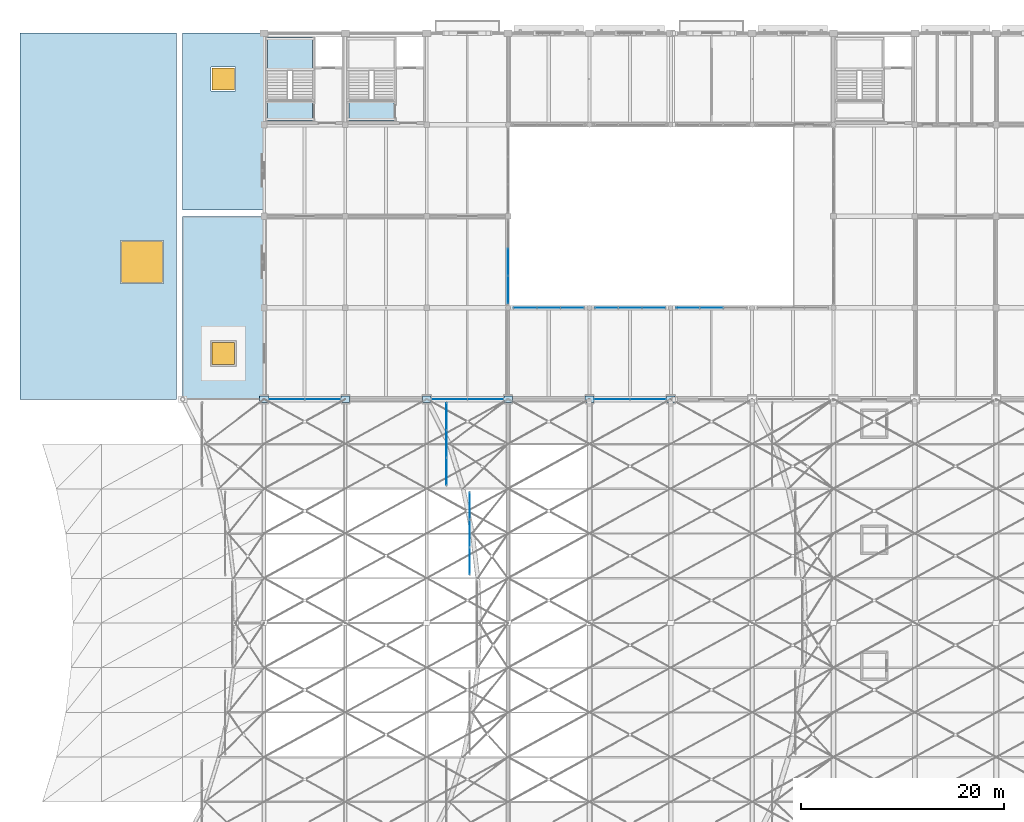
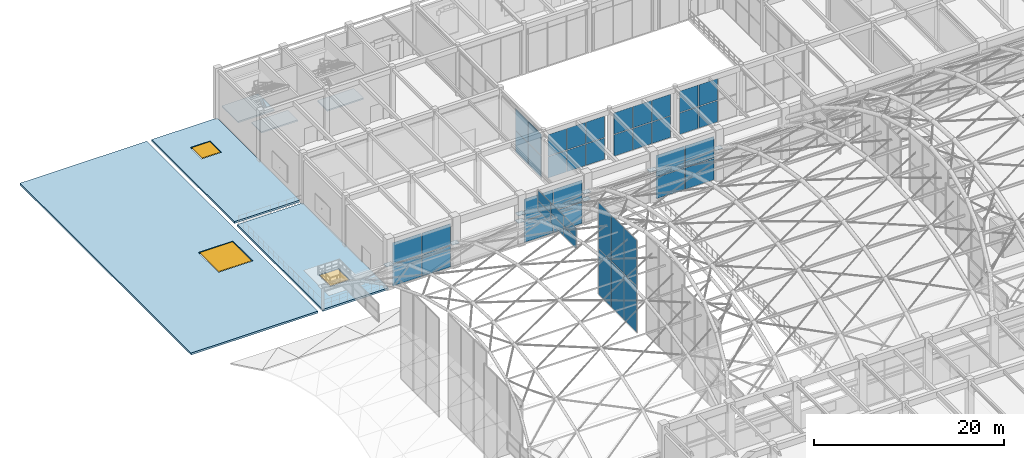
# One storey, part 115 of 163: 52 plates, 6 slabs, 3 windows, 3 openings, 11 elements without a shape of their own.
"""IFC4 building model written with IfcOpenShell, lengths in metres."""

from ifc_helpers import new_model, si_unit, direction, frame, origin, origin_2d, place, context, subcontext, project, spatial, polyline, rectangle, outline, extrude, material, layer, layer_set, type_object, element, fill, aggregate, save


model = new_model("IFC4")

# Units and contexts
model_context = context("Model", 3, precision=1e-05, world=origin(), true_north=direction((0.0, 1.0)))
body_context = subcontext(model_context, "Body", "Model", "MODEL_VIEW")
ifc_project = project(units=[si_unit("LENGTHUNIT", "METRE"), si_unit("AREAUNIT", "SQUARE_METRE"), si_unit("VOLUMEUNIT", "CUBIC_METRE"), si_unit("PLANEANGLEUNIT", "RADIAN"), si_unit("MASSUNIT", "GRAM", prefix="KILO")], contexts=[model_context])

# Site, building, storey
site_placement = place(None, origin())
site = spatial("IfcSite", under=ifc_project, at=site_placement, CompositionType="ELEMENT")
building_placement = place(site_placement, origin())
building = spatial("IfcBuilding", under=site, at=building_placement, Name="Varnabhumi Central Station", CompositionType="ELEMENT")
storey_placement = place(building_placement, frame((0.0, 0.0, 9.60009765625)))
storey = spatial("IfcBuildingStorey", under=building, at=storey_placement, Name="L02", CompositionType="ELEMENT", Elevation=9.60009765625)

# Curtain wall, plates
ifc_material_1 = material(Name="Anodised aluminium 6063-T6", Category="aluminium")
curtain_wall_type_1 = type_object("IfcCurtainWallType", Name="CW-PATIO-LOGGIA-L2", PredefinedType="NOTDEFINED", material=ifc_material_1)
curtain_wall_1_placement = place(storey_placement, origin())
curtain_wall_1 = element("IfcCurtainWall", 1, at=curtain_wall_1_placement, inside=storey, type_object=curtain_wall_type_1, Name="Curtain Wall CW-NP2E1", PredefinedType="NOTDEFINED")
ifc_material_2 = material(Name="Laminated low-E double glazing", Category="glass")
ifc_layer_1 = layer(ifc_material_2, 0.035888671875, Name="Laminated low-E double glazing", Category="glass")
ifc_layer_set_1 = layer_set([ifc_layer_1], Name="Laminated low-E double glazing")
plate_type_1 = type_object("IfcPlateType", Name="CW-PNL-GLZ-2", PredefinedType="CURTAIN_PANEL", material=ifc_layer_set_1)
plate_1_placement = place(storey_placement, frame((48.0, 90.780029296875, 0.0400390625), z_axis=(0.0, 0.0, 1.0), x_axis=(0.0, 1.0, 0.0)))
plate_1 = element("IfcPlate", 2, at=plate_1_placement, type_object=plate_type_1, Name="Glazed Panel CW-NP2E1-P11", PredefinedType="CURTAIN_PANEL", context=body_context, shape_type="SweptSolid", body=[
    extrude(rectangle(XDim=2.639892578125, YDim=0.035888671875, at=origin_2d()), origin(), (0.0, 0.0, 1.0), 2.739990234375),
])
plate_2_placement = place(storey_placement, frame((48.0, 90.780029296875, 2.85986328125), z_axis=(0.0, 0.0, 1.0), x_axis=(0.0, 1.0, 0.0)))
plate_2 = element("IfcPlate", 3, at=plate_2_placement, type_object=plate_type_1, Name="Glazed Panel CW-NP2E1-P12", PredefinedType="CURTAIN_PANEL", context=body_context, shape_type="SweptSolid", body=[
    extrude(rectangle(XDim=2.639892578125, YDim=0.035888671875, at=origin_2d()), origin(), (0.0, 0.0, 1.0), 2.739990234375),
])
plate_3_placement = place(storey_placement, frame((48.0, 93.5, 0.0400390625), z_axis=(0.0, 0.0, 1.0), x_axis=(0.0, 1.0, 0.0)))
plate_3 = element("IfcPlate", 4, at=plate_3_placement, type_object=plate_type_1, Name="Glazed Panel CW-NP2E1-P21", PredefinedType="CURTAIN_PANEL", context=body_context, shape_type="SweptSolid", body=[
    extrude(rectangle(XDim=2.639892578125, YDim=0.035888671875, at=origin_2d()), origin(), (0.0, 0.0, 1.0), 2.739990234375),
])
plate_4_placement = place(storey_placement, frame((48.0, 93.5, 2.85986328125), z_axis=(0.0, 0.0, 1.0), x_axis=(0.0, 1.0, 0.0)))
plate_4 = element("IfcPlate", 5, at=plate_4_placement, type_object=plate_type_1, Name="Glazed Panel CW-NP2E1-P22", PredefinedType="CURTAIN_PANEL", context=body_context, shape_type="SweptSolid", body=[
    extrude(rectangle(XDim=2.639892578125, YDim=0.035888671875, at=origin_2d()), origin(), (0.0, 0.0, 1.0), 2.739990234375),
])
aggregate(curtain_wall_1, [plate_1, plate_2, plate_3, plate_4])

curtain_wall_2_placement = place(storey_placement, origin())
curtain_wall_2 = element("IfcCurtainWall", 6, at=curtain_wall_2_placement, inside=storey, type_object=curtain_wall_type_1, Name="Curtain Wall CW-NP2S1", PredefinedType="NOTDEFINED")
ifc_layer_2 = layer(ifc_material_2, 0.035888671875, Name="Laminated low-E double glazing", Category="glass")
ifc_layer_set_2 = layer_set([ifc_layer_2], Name="Laminated low-E double glazing")
plate_type_2 = type_object("IfcPlateType", Name="CW-PNL-GLZ-3", PredefinedType="CURTAIN_PANEL", material=ifc_layer_set_2)
plate_5_placement = place(storey_placement, frame((49.679931640625, 89.0, 0.0400390625), z_axis=(0.0, 0.0, 1.0), x_axis=(1.0, 0.0, 0.0)))
plate_5 = element("IfcPlate", 7, at=plate_5_placement, type_object=plate_type_2, Name="Glazed Panel CW-NP2S1-P11", PredefinedType="CURTAIN_PANEL", context=body_context, shape_type="SweptSolid", body=[
    extrude(rectangle(XDim=2.239990234375, YDim=0.035888671875, at=origin_2d()), origin(), (0.0, 0.0, 1.0), 2.739990234375),
])
plate_6_placement = place(storey_placement, frame((49.679931640625, 89.0, 2.85986328125), z_axis=(0.0, 0.0, 1.0), x_axis=(1.0, 0.0, 0.0)))
plate_6 = element("IfcPlate", 8, at=plate_6_placement, type_object=plate_type_2, Name="Glazed Panel CW-NP2S1-P12", PredefinedType="CURTAIN_PANEL", context=body_context, shape_type="SweptSolid", body=[
    extrude(rectangle(XDim=2.239990234375, YDim=0.035888671875, at=origin_2d()), origin(), (0.0, 0.0, 1.0), 2.739990234375),
])
plate_7_placement = place(storey_placement, frame((52.0, 89.0, 0.0400390625), z_axis=(0.0, 0.0, 1.0), x_axis=(1.0, 0.0, 0.0)))
plate_7 = element("IfcPlate", 9, at=plate_7_placement, type_object=plate_type_2, Name="Glazed Panel CW-NP2S1-P21", PredefinedType="CURTAIN_PANEL", context=body_context, shape_type="SweptSolid", body=[
    extrude(rectangle(XDim=2.239990234375, YDim=0.035888671875, at=origin_2d()), origin(), (0.0, 0.0, 1.0), 2.739990234375),
])
plate_8_placement = place(storey_placement, frame((52.0, 89.0, 2.85986328125), z_axis=(0.0, 0.0, 1.0), x_axis=(1.0, 0.0, 0.0)))
plate_8 = element("IfcPlate", 10, at=plate_8_placement, type_object=plate_type_2, Name="Glazed Panel CW-NP2S1-P22", PredefinedType="CURTAIN_PANEL", context=body_context, shape_type="SweptSolid", body=[
    extrude(rectangle(XDim=2.239990234375, YDim=0.035888671875, at=origin_2d()), origin(), (0.0, 0.0, 1.0), 2.739990234375),
])
plate_9_placement = place(storey_placement, frame((54.320068359375, 89.0, 0.0400390625), z_axis=(0.0, 0.0, 1.0), x_axis=(1.0, 0.0, 0.0)))
plate_9 = element("IfcPlate", 11, at=plate_9_placement, type_object=plate_type_2, Name="Glazed Panel CW-NP2S1-P31", PredefinedType="CURTAIN_PANEL", context=body_context, shape_type="SweptSolid", body=[
    extrude(rectangle(XDim=2.239990234375, YDim=0.035888671875, at=origin_2d()), origin(), (0.0, 0.0, 1.0), 2.739990234375),
])
plate_10_placement = place(storey_placement, frame((54.320068359375, 89.0, 2.85986328125), z_axis=(0.0, 0.0, 1.0), x_axis=(1.0, 0.0, 0.0)))
plate_10 = element("IfcPlate", 12, at=plate_10_placement, type_object=plate_type_2, Name="Glazed Panel CW-NP2S1-P32", PredefinedType="CURTAIN_PANEL", context=body_context, shape_type="SweptSolid", body=[
    extrude(rectangle(XDim=2.239990234375, YDim=0.035888671875, at=origin_2d()), origin(), (0.0, 0.0, 1.0), 2.739990234375),
])
aggregate(curtain_wall_2, [plate_5, plate_6, plate_7, plate_8, plate_9, plate_10])

curtain_wall_3_placement = place(storey_placement, origin())
curtain_wall_3 = element("IfcCurtainWall", 13, at=curtain_wall_3_placement, inside=storey, type_object=curtain_wall_type_1, Name="Curtain Wall CW-NP2S2", PredefinedType="NOTDEFINED")
ifc_layer_3 = layer(ifc_material_2, 0.035888671875, Name="Laminated low-E double glazing", Category="glass")
ifc_layer_set_3 = layer_set([ifc_layer_3], Name="Laminated low-E double glazing")
plate_type_3 = type_object("IfcPlateType", Name="CW-PNL-GLZ-4", PredefinedType="CURTAIN_PANEL", material=ifc_layer_set_3)
plate_11_placement = place(storey_placement, frame((57.679931640625, 89.0, 0.0400390625), z_axis=(0.0, 0.0, 1.0), x_axis=(1.0, 0.0, 0.0)))
plate_11 = element("IfcPlate", 14, at=plate_11_placement, type_object=plate_type_3, Name="Glazed Panel CW-NP2S2-P11", PredefinedType="CURTAIN_PANEL", context=body_context, shape_type="SweptSolid", body=[
    extrude(rectangle(XDim=2.239990234375, YDim=0.035888671875, at=origin_2d()), origin(), (0.0, 0.0, 1.0), 2.739990234375),
])
plate_12_placement = place(storey_placement, frame((57.679931640625, 89.0, 2.85986328125), z_axis=(0.0, 0.0, 1.0), x_axis=(1.0, 0.0, 0.0)))
plate_12 = element("IfcPlate", 15, at=plate_12_placement, type_object=plate_type_3, Name="Glazed Panel CW-NP2S2-P12", PredefinedType="CURTAIN_PANEL", context=body_context, shape_type="SweptSolid", body=[
    extrude(rectangle(XDim=2.239990234375, YDim=0.035888671875, at=origin_2d()), origin(), (0.0, 0.0, 1.0), 2.739990234375),
])
plate_13_placement = place(storey_placement, frame((60.0, 89.0, 0.0400390625), z_axis=(0.0, 0.0, 1.0), x_axis=(1.0, 0.0, 0.0)))
plate_13 = element("IfcPlate", 16, at=plate_13_placement, type_object=plate_type_3, Name="Glazed Panel CW-NP2S2-P21", PredefinedType="CURTAIN_PANEL", context=body_context, shape_type="SweptSolid", body=[
    extrude(rectangle(XDim=2.239990234375, YDim=0.035888671875, at=origin_2d()), origin(), (0.0, 0.0, 1.0), 2.739990234375),
])
plate_14_placement = place(storey_placement, frame((60.0, 89.0, 2.85986328125), z_axis=(0.0, 0.0, 1.0), x_axis=(1.0, 0.0, 0.0)))
plate_14 = element("IfcPlate", 17, at=plate_14_placement, type_object=plate_type_3, Name="Glazed Panel CW-NP2S2-P22", PredefinedType="CURTAIN_PANEL", context=body_context, shape_type="SweptSolid", body=[
    extrude(rectangle(XDim=2.239990234375, YDim=0.035888671875, at=origin_2d()), origin(), (0.0, 0.0, 1.0), 2.739990234375),
])
plate_15_placement = place(storey_placement, frame((62.320068359375, 89.0, 0.0400390625), z_axis=(0.0, 0.0, 1.0), x_axis=(1.0, 0.0, 0.0)))
plate_15 = element("IfcPlate", 18, at=plate_15_placement, type_object=plate_type_3, Name="Glazed Panel CW-NP2S2-P31", PredefinedType="CURTAIN_PANEL", context=body_context, shape_type="SweptSolid", body=[
    extrude(rectangle(XDim=2.239990234375, YDim=0.035888671875, at=origin_2d()), origin(), (0.0, 0.0, 1.0), 2.739990234375),
])
plate_16_placement = place(storey_placement, frame((62.320068359375, 89.0, 2.85986328125), z_axis=(0.0, 0.0, 1.0), x_axis=(1.0, 0.0, 0.0)))
plate_16 = element("IfcPlate", 19, at=plate_16_placement, type_object=plate_type_3, Name="Glazed Panel CW-NP2S2-P32", PredefinedType="CURTAIN_PANEL", context=body_context, shape_type="SweptSolid", body=[
    extrude(rectangle(XDim=2.239990234375, YDim=0.035888671875, at=origin_2d()), origin(), (0.0, 0.0, 1.0), 2.739990234375),
])
aggregate(curtain_wall_3, [plate_11, plate_12, plate_13, plate_14, plate_15, plate_16])

curtain_wall_type_2 = type_object("IfcCurtainWallType", Name="CW-SPINE-SCREEN-L2", PredefinedType="NOTDEFINED", material=ifc_material_1)
curtain_wall_4_placement = place(storey_placement, origin())
curtain_wall_4 = element("IfcCurtainWall", 20, at=curtain_wall_4_placement, inside=storey, type_object=curtain_wall_type_2, Name="Curtain Wall CW-NS200", PredefinedType="NOTDEFINED")
ifc_layer_4 = layer(ifc_material_2, 0.035888671875, Name="Laminated low-E double glazing", Category="glass")
ifc_layer_set_4 = layer_set([ifc_layer_4], Name="Laminated low-E double glazing")
plate_type_4 = type_object("IfcPlateType", Name="CW-PNL-GLZ-5", PredefinedType="CURTAIN_PANEL", material=ifc_layer_set_4)
plate_17_placement = place(storey_placement, frame((26.22509765625, 80.0, 0.0400390625), z_axis=(0.0, 0.0, 1.0), x_axis=(1.0, 0.0, 0.0)))
plate_17 = element("IfcPlate", 21, at=plate_17_placement, type_object=plate_type_4, Name="Glazed Panel CW-NS200-P11", PredefinedType="CURTAIN_PANEL", context=body_context, shape_type="SweptSolid", body=[
    extrude(rectangle(XDim=3.469970703125, YDim=0.035888671875, at=origin_2d()), origin(), (0.0, 0.0, 1.0), 2.739990234375),
])
plate_18_placement = place(storey_placement, frame((26.22509765625, 80.0, 2.85986328125), z_axis=(0.0, 0.0, 1.0), x_axis=(1.0, 0.0, 0.0)))
plate_18 = element("IfcPlate", 22, at=plate_18_placement, type_object=plate_type_4, Name="Glazed Panel CW-NS200-P12", PredefinedType="CURTAIN_PANEL", context=body_context, shape_type="SweptSolid", body=[
    extrude(rectangle(XDim=3.469970703125, YDim=0.035888671875, at=origin_2d()), origin(), (0.0, 0.0, 1.0), 2.739990234375),
])
plate_19_placement = place(storey_placement, frame((29.77490234375, 80.0, 0.0400390625), z_axis=(0.0, 0.0, 1.0), x_axis=(1.0, 0.0, 0.0)))
plate_19 = element("IfcPlate", 23, at=plate_19_placement, type_object=plate_type_4, Name="Glazed Panel CW-NS200-P21", PredefinedType="CURTAIN_PANEL", context=body_context, shape_type="SweptSolid", body=[
    extrude(rectangle(XDim=3.469970703125, YDim=0.035888671875, at=origin_2d()), origin(), (0.0, 0.0, 1.0), 2.739990234375),
])
plate_20_placement = place(storey_placement, frame((29.77490234375, 80.0, 2.85986328125), z_axis=(0.0, 0.0, 1.0), x_axis=(1.0, 0.0, 0.0)))
plate_20 = element("IfcPlate", 24, at=plate_20_placement, type_object=plate_type_4, Name="Glazed Panel CW-NS200-P22", PredefinedType="CURTAIN_PANEL", context=body_context, shape_type="SweptSolid", body=[
    extrude(rectangle(XDim=3.469970703125, YDim=0.035888671875, at=origin_2d()), origin(), (0.0, 0.0, 1.0), 2.739990234375),
])
aggregate(curtain_wall_4, [plate_17, plate_18, plate_19, plate_20])

curtain_wall_5_placement = place(storey_placement, origin())
curtain_wall_5 = element("IfcCurtainWall", 25, at=curtain_wall_5_placement, inside=storey, type_object=curtain_wall_type_2, Name="Curtain Wall CW-NS202", PredefinedType="NOTDEFINED")
plate_21_placement = place(storey_placement, frame((42.22509765625, 80.0, 0.0400390625), z_axis=(0.0, 0.0, 1.0), x_axis=(1.0, 0.0, 0.0)))
plate_21 = element("IfcPlate", 26, at=plate_21_placement, type_object=plate_type_4, Name="Glazed Panel CW-NS202-P11", PredefinedType="CURTAIN_PANEL", context=body_context, shape_type="SweptSolid", body=[
    extrude(rectangle(XDim=3.469970703125, YDim=0.035888671875, at=origin_2d()), origin(), (0.0, 0.0, 1.0), 2.739990234375),
])
plate_22_placement = place(storey_placement, frame((42.22509765625, 80.0, 2.85986328125), z_axis=(0.0, 0.0, 1.0), x_axis=(1.0, 0.0, 0.0)))
plate_22 = element("IfcPlate", 27, at=plate_22_placement, type_object=plate_type_4, Name="Glazed Panel CW-NS202-P12", PredefinedType="CURTAIN_PANEL", context=body_context, shape_type="SweptSolid", body=[
    extrude(rectangle(XDim=3.469970703125, YDim=0.035888671875, at=origin_2d()), origin(), (0.0, 0.0, 1.0), 2.739990234375),
])
plate_23_placement = place(storey_placement, frame((45.77490234375, 80.0, 0.0400390625), z_axis=(0.0, 0.0, 1.0), x_axis=(1.0, 0.0, 0.0)))
plate_23 = element("IfcPlate", 28, at=plate_23_placement, type_object=plate_type_4, Name="Glazed Panel CW-NS202-P21", PredefinedType="CURTAIN_PANEL", context=body_context, shape_type="SweptSolid", body=[
    extrude(rectangle(XDim=3.469970703125, YDim=0.035888671875, at=origin_2d()), origin(), (0.0, 0.0, 1.0), 2.739990234375),
])
plate_24_placement = place(storey_placement, frame((45.77490234375, 80.0, 2.85986328125), z_axis=(0.0, 0.0, 1.0), x_axis=(1.0, 0.0, 0.0)))
plate_24 = element("IfcPlate", 29, at=plate_24_placement, type_object=plate_type_4, Name="Glazed Panel CW-NS202-P22", PredefinedType="CURTAIN_PANEL", context=body_context, shape_type="SweptSolid", body=[
    extrude(rectangle(XDim=3.469970703125, YDim=0.035888671875, at=origin_2d()), origin(), (0.0, 0.0, 1.0), 2.739990234375),
])
aggregate(curtain_wall_5, [plate_21, plate_22, plate_23, plate_24])

curtain_wall_6_placement = place(storey_placement, origin())
curtain_wall_6 = element("IfcCurtainWall", 30, at=curtain_wall_6_placement, inside=storey, type_object=curtain_wall_type_2, Name="Curtain Wall CW-NS204", PredefinedType="NOTDEFINED")
plate_25_placement = place(storey_placement, frame((58.22509765625, 80.0, 0.0400390625), z_axis=(0.0, 0.0, 1.0), x_axis=(1.0, 0.0, 0.0)))
plate_25 = element("IfcPlate", 31, at=plate_25_placement, type_object=plate_type_4, Name="Glazed Panel CW-NS204-P11", PredefinedType="CURTAIN_PANEL", context=body_context, shape_type="SweptSolid", body=[
    extrude(rectangle(XDim=3.469970703125, YDim=0.035888671875, at=origin_2d()), origin(), (0.0, 0.0, 1.0), 2.739990234375),
])
plate_26_placement = place(storey_placement, frame((58.22509765625, 80.0, 2.85986328125), z_axis=(0.0, 0.0, 1.0), x_axis=(1.0, 0.0, 0.0)))
plate_26 = element("IfcPlate", 32, at=plate_26_placement, type_object=plate_type_4, Name="Glazed Panel CW-NS204-P12", PredefinedType="CURTAIN_PANEL", context=body_context, shape_type="SweptSolid", body=[
    extrude(rectangle(XDim=3.469970703125, YDim=0.035888671875, at=origin_2d()), origin(), (0.0, 0.0, 1.0), 2.739990234375),
])
plate_27_placement = place(storey_placement, frame((61.77490234375, 80.0, 0.0400390625), z_axis=(0.0, 0.0, 1.0), x_axis=(1.0, 0.0, 0.0)))
plate_27 = element("IfcPlate", 33, at=plate_27_placement, type_object=plate_type_4, Name="Glazed Panel CW-NS204-P21", PredefinedType="CURTAIN_PANEL", context=body_context, shape_type="SweptSolid", body=[
    extrude(rectangle(XDim=3.469970703125, YDim=0.035888671875, at=origin_2d()), origin(), (0.0, 0.0, 1.0), 2.739990234375),
])
plate_28_placement = place(storey_placement, frame((61.77490234375, 80.0, 2.85986328125), z_axis=(0.0, 0.0, 1.0), x_axis=(1.0, 0.0, 0.0)))
plate_28 = element("IfcPlate", 34, at=plate_28_placement, type_object=plate_type_4, Name="Glazed Panel CW-NS204-P22", PredefinedType="CURTAIN_PANEL", context=body_context, shape_type="SweptSolid", body=[
    extrude(rectangle(XDim=3.469970703125, YDim=0.035888671875, at=origin_2d()), origin(), (0.0, 0.0, 1.0), 2.739990234375),
])
aggregate(curtain_wall_6, [plate_25, plate_26, plate_27, plate_28])

curtain_wall_7_placement = place(storey_placement, origin())
curtain_wall_7 = element("IfcCurtainWall", 35, at=curtain_wall_7_placement, inside=storey, type_object=curtain_wall_type_1, Name="Curtain Wall CW-NP2S3", PredefinedType="NOTDEFINED")
plate_29_placement = place(storey_placement, frame((65.679931640625, 89.0, 0.0400390625), z_axis=(0.0, 0.0, 1.0), x_axis=(1.0, 0.0, 0.0)))
plate_29 = element("IfcPlate", 36, at=plate_29_placement, type_object=plate_type_4, Name="Glazed Panel CW-NP2S3-P11", PredefinedType="CURTAIN_PANEL", context=body_context, shape_type="SweptSolid", body=[
    extrude(rectangle(XDim=2.239990234375, YDim=0.035888671875, at=origin_2d()), origin(), (0.0, 0.0, 1.0), 2.739990234375),
])
plate_30_placement = place(storey_placement, frame((65.679931640625, 89.0, 2.85986328125), z_axis=(0.0, 0.0, 1.0), x_axis=(1.0, 0.0, 0.0)))
plate_30 = element("IfcPlate", 37, at=plate_30_placement, type_object=plate_type_4, Name="Glazed Panel CW-NP2S3-P12", PredefinedType="CURTAIN_PANEL", context=body_context, shape_type="SweptSolid", body=[
    extrude(rectangle(XDim=2.239990234375, YDim=0.035888671875, at=origin_2d()), origin(), (0.0, 0.0, 1.0), 2.739990234375),
])
plate_31_placement = place(storey_placement, frame((68.0, 89.0, 0.0400390625), z_axis=(0.0, 0.0, 1.0), x_axis=(1.0, 0.0, 0.0)))
plate_31 = element("IfcPlate", 38, at=plate_31_placement, type_object=plate_type_4, Name="Glazed Panel CW-NP2S3-P21", PredefinedType="CURTAIN_PANEL", context=body_context, shape_type="SweptSolid", body=[
    extrude(rectangle(XDim=2.239990234375, YDim=0.035888671875, at=origin_2d()), origin(), (0.0, 0.0, 1.0), 2.739990234375),
])
plate_32_placement = place(storey_placement, frame((68.0, 89.0, 2.85986328125), z_axis=(0.0, 0.0, 1.0), x_axis=(1.0, 0.0, 0.0)))
plate_32 = element("IfcPlate", 39, at=plate_32_placement, type_object=plate_type_4, Name="Glazed Panel CW-NP2S3-P22", PredefinedType="CURTAIN_PANEL", context=body_context, shape_type="SweptSolid", body=[
    extrude(rectangle(XDim=2.239990234375, YDim=0.035888671875, at=origin_2d()), origin(), (0.0, 0.0, 1.0), 2.739990234375),
])
aggregate(curtain_wall_7, [plate_29, plate_30, plate_31, plate_32])

curtain_wall_type_3 = type_object("IfcCurtainWallType", Name="CW-VAULT-ARCH-V3", PredefinedType="NOTDEFINED", material=ifc_material_1)
curtain_wall_8_placement = place(storey_placement, origin())
curtain_wall_8 = element("IfcCurtainWall", 40, at=curtain_wall_8_placement, inside=storey, type_object=curtain_wall_type_3, Name="Curtain Wall CW-V34", PredefinedType="NOTDEFINED")
ifc_layer_5 = layer(ifc_material_2, 0.035888671875, Name="Laminated low-E double glazing", Category="glass")
ifc_layer_set_5 = layer_set([ifc_layer_5], Name="Laminated low-E double glazing")
plate_type_5 = type_object("IfcPlateType", Name="CW-PNL-GLZ-7", PredefinedType="CURTAIN_PANEL", material=ifc_layer_set_5)
plate_33_placement = place(storey_placement, frame((44.22412109375, 64.10009765625, -2.35986328125), z_axis=(0.0, 0.0, 1.0), x_axis=(0.0, 1.0, 0.0)))
plate_33 = element("IfcPlate", 41, at=plate_33_placement, type_object=plate_type_5, Name="Glazed Panel CW-V34-P11", PredefinedType="CURTAIN_PANEL", context=body_context, shape_type="SweptSolid", body=[
    extrude(rectangle(XDim=2.6201171875, YDim=0.035888671875, at=origin_2d()), origin(), (0.0, 0.0, 1.0), 5.856689453125),
])
plate_34_placement = place(storey_placement, frame((44.22412109375, 64.10009765625, 3.57666015625), z_axis=(0.0, 0.0, 1.0), x_axis=(0.0, 1.0, 0.0)))
plate_34 = element("IfcPlate", 42, at=plate_34_placement, type_object=plate_type_5, Name="Glazed Panel CW-V34-P12", PredefinedType="CURTAIN_PANEL", context=body_context, shape_type="SweptSolid", body=[
    extrude(rectangle(XDim=2.6201171875, YDim=0.035888671875, at=origin_2d()), origin(), (0.0, 0.0, 1.0), 5.856689453125),
])
plate_35_placement = place(storey_placement, frame((44.22412109375, 66.800048828125, -2.35986328125), z_axis=(0.0, 0.0, 1.0), x_axis=(0.0, 1.0, 0.0)))
plate_35 = element("IfcPlate", 43, at=plate_35_placement, type_object=plate_type_5, Name="Glazed Panel CW-V34-P21", PredefinedType="CURTAIN_PANEL", context=body_context, shape_type="SweptSolid", body=[
    extrude(rectangle(XDim=2.6201171875, YDim=0.035888671875, at=origin_2d()), origin(), (0.0, 0.0, 1.0), 5.856689453125),
])
plate_36_placement = place(storey_placement, frame((44.22412109375, 66.800048828125, 3.57666015625), z_axis=(0.0, 0.0, 1.0), x_axis=(0.0, 1.0, 0.0)))
plate_36 = element("IfcPlate", 44, at=plate_36_placement, type_object=plate_type_5, Name="Glazed Panel CW-V34-P22", PredefinedType="CURTAIN_PANEL", context=body_context, shape_type="SweptSolid", body=[
    extrude(rectangle(XDim=2.6201171875, YDim=0.035888671875, at=origin_2d()), origin(), (0.0, 0.0, 1.0), 5.856689453125),
])
plate_37_placement = place(storey_placement, frame((44.22412109375, 69.5, -2.35986328125), z_axis=(0.0, 0.0, 1.0), x_axis=(0.0, 1.0, 0.0)))
plate_37 = element("IfcPlate", 45, at=plate_37_placement, type_object=plate_type_5, Name="Glazed Panel CW-V34-P31", PredefinedType="CURTAIN_PANEL", context=body_context, shape_type="SweptSolid", body=[
    extrude(rectangle(XDim=2.6201171875, YDim=0.035888671875, at=origin_2d()), origin(), (0.0, 0.0, 1.0), 5.856689453125),
])
plate_38_placement = place(storey_placement, frame((44.22412109375, 69.5, 3.57666015625), z_axis=(0.0, 0.0, 1.0), x_axis=(0.0, 1.0, 0.0)))
plate_38 = element("IfcPlate", 46, at=plate_38_placement, type_object=plate_type_5, Name="Glazed Panel CW-V34-P32", PredefinedType="CURTAIN_PANEL", context=body_context, shape_type="SweptSolid", body=[
    extrude(rectangle(XDim=2.6201171875, YDim=0.035888671875, at=origin_2d()), origin(), (0.0, 0.0, 1.0), 5.856689453125),
])
aggregate(curtain_wall_8, [plate_33, plate_34, plate_35, plate_36, plate_37, plate_38])

curtain_wall_9_placement = place(storey_placement, origin())
curtain_wall_9 = element("IfcCurtainWall", 47, at=curtain_wall_9_placement, inside=storey, type_object=curtain_wall_type_3, Name="Curtain Wall CW-V35", PredefinedType="NOTDEFINED")
plate_39_placement = place(storey_placement, frame((41.946044921875, 72.89990234375, 3.89013671875), z_axis=(0.0, 0.0, 1.0), x_axis=(0.0, 1.0, 0.0)))
plate_39 = element("IfcPlate", 48, at=plate_39_placement, type_object=plate_type_5, Name="Glazed Panel CW-V35-P11", PredefinedType="CURTAIN_PANEL", context=body_context, shape_type="SweptSolid", body=[
    extrude(rectangle(XDim=2.6201171875, YDim=0.035888671875, at=origin_2d()), origin(), (0.0, 0.0, 1.0), 1.242431640625),
])
plate_40_placement = place(storey_placement, frame((41.946044921875, 72.89990234375, 5.21240234375), z_axis=(0.0, 0.0, 1.0), x_axis=(0.0, 1.0, 0.0)))
plate_40 = element("IfcPlate", 49, at=plate_40_placement, type_object=plate_type_5, Name="Glazed Panel CW-V35-P12", PredefinedType="CURTAIN_PANEL", context=body_context, shape_type="SweptSolid", body=[
    extrude(rectangle(XDim=2.6201171875, YDim=0.035888671875, at=origin_2d()), origin(), (0.0, 0.0, 1.0), 1.242431640625),
])
plate_41_placement = place(storey_placement, frame((41.946044921875, 75.60009765625, 3.89013671875), z_axis=(0.0, 0.0, 1.0), x_axis=(0.0, 1.0, 0.0)))
plate_41 = element("IfcPlate", 50, at=plate_41_placement, type_object=plate_type_5, Name="Glazed Panel CW-V35-P21", PredefinedType="CURTAIN_PANEL", context=body_context, shape_type="SweptSolid", body=[
    extrude(rectangle(XDim=2.6201171875, YDim=0.035888671875, at=origin_2d()), origin(), (0.0, 0.0, 1.0), 1.242431640625),
])
plate_42_placement = place(storey_placement, frame((41.946044921875, 75.60009765625, 5.21240234375), z_axis=(0.0, 0.0, 1.0), x_axis=(0.0, 1.0, 0.0)))
plate_42 = element("IfcPlate", 51, at=plate_42_placement, type_object=plate_type_5, Name="Glazed Panel CW-V35-P22", PredefinedType="CURTAIN_PANEL", context=body_context, shape_type="SweptSolid", body=[
    extrude(rectangle(XDim=2.6201171875, YDim=0.035888671875, at=origin_2d()), origin(), (0.0, 0.0, 1.0), 1.242431640625),
])
plate_43_placement = place(storey_placement, frame((41.946044921875, 78.300048828125, 3.89013671875), z_axis=(0.0, 0.0, 1.0), x_axis=(0.0, 1.0, 0.0)))
plate_43 = element("IfcPlate", 52, at=plate_43_placement, type_object=plate_type_5, Name="Glazed Panel CW-V35-P31", PredefinedType="CURTAIN_PANEL", context=body_context, shape_type="SweptSolid", body=[
    extrude(rectangle(XDim=2.6201171875, YDim=0.035888671875, at=origin_2d()), origin(), (0.0, 0.0, 1.0), 1.242431640625),
])
plate_44_placement = place(storey_placement, frame((41.946044921875, 78.300048828125, 5.21240234375), z_axis=(0.0, 0.0, 1.0), x_axis=(0.0, 1.0, 0.0)))
plate_44 = element("IfcPlate", 53, at=plate_44_placement, type_object=plate_type_5, Name="Glazed Panel CW-V35-P32", PredefinedType="CURTAIN_PANEL", context=body_context, shape_type="SweptSolid", body=[
    extrude(rectangle(XDim=2.6201171875, YDim=0.035888671875, at=origin_2d()), origin(), (0.0, 0.0, 1.0), 1.242431640625),
])
aggregate(curtain_wall_9, [plate_39, plate_40, plate_41, plate_42, plate_43, plate_44])

# Plates
ifc_material_3 = material(Name="Structural steel E350", Category="steel")
ifc_layer_6 = layer(ifc_material_3, 0.031982421875, Name="Structural steel E350", Category="steel")
ifc_layer_set_6 = layer_set([ifc_layer_6], Name="Structural steel E350")
plate_type_6 = type_object("IfcPlateType", Name="PLT-GUSSET-A", PredefinedType="USERDEFINED", material=ifc_layer_set_6)
for number, where, z_axis, x_axis, name in (
    (54, (24.0, 80.0, 2.98388671875), (0.0, 0.0, 1.0), (1.0, 0.0, 0.0), "Entrance Portico Vault Arch Springing Gusset 2-N"),
    (55, (32.0, 80.0, 2.98388671875), (0.0, 0.0, 1.0), (1.0, 0.0, 0.0), "Entrance Portico Vault Arch Springing Gusset 3-N"),
    (56, (40.0, 80.0, 2.98388671875), (0.0, 0.0, 1.0), (1.0, 0.0, 0.0), "Entrance Portico Vault Arch Springing Gusset 4-N"),
    (57, (48.0, 80.0, 2.98388671875), (0.0, 0.0, 1.0), (1.0, 0.0, 0.0), "Entrance Portico Vault Arch Springing Gusset 5-N"),
    (58, (40.0, 80.0, 3.93408203125), (0.0, 0.0, 1.0), (1.0, 0.0, 0.0), "Ticket Hall Vault Arch Springing Gusset 1-N"),
    (59, (48.0, 80.0, 3.93408203125), (0.0, 0.0, 1.0), (1.0, 0.0, 0.0), "Ticket Hall Vault Arch Springing Gusset 2-N"),
    (60, (56.0, 80.0, 3.93408203125), (0.0, 0.0, 1.0), (1.0, 0.0, 0.0), "Ticket Hall Vault Arch Springing Gusset 3-N"),
    (61, (64.0, 80.0, 3.93408203125), (0.0, 0.0, 1.0), (1.0, 0.0, 0.0), "Ticket Hall Vault Arch Springing Gusset 4-N"),
):
    element("IfcPlate", number, at=place(storey_placement, frame(where, z_axis=z_axis, x_axis=x_axis)), inside=storey, type_object=plate_type_6, Name=name, ObjectType="GUSSET PLATE", PredefinedType="USERDEFINED", context=body_context, shape_type="SweptSolid", body=[
        extrude(rectangle(XDim=0.85009765625, YDim=0.64990234375, at=origin_2d()), origin(), (0.0, 0.0, 1.0), 0.031982421875),
    ])

# Slab, opening, window
ifc_material_4 = material(Name="Concrete M40", Category="concrete")
ifc_layer_7 = layer(ifc_material_4, 0.25, Name="Concrete M40", Category="concrete")
ifc_layer_set_7 = layer_set([ifc_layer_7], Name="Concrete M40")
slab_type_1 = type_object("IfcSlabType", Name="SLB-AZOTEA-200", PredefinedType="ROOF", material=ifc_layer_set_7)
slab_1_placement = place(storey_placement, frame((0.0, 0.0, -0.25)))
slab_1 = element("IfcSlab", 62, at=slab_1_placement, inside=storey, type_object=slab_type_1, Name="Azotea Roof Garden Slab L02-1", PredefinedType="ROOF", context=body_context, shape_type="SweptSolid", body=[
    extrude(outline(polyline([(16.0, 80.0), (24.0, 80.0), (24.0, 98.0), (16.0, 98.0), (16.0, 80.0)]), holes=[polyline([(18.800048828125, 83.300048828125), (21.199951171875, 83.300048828125), (21.199951171875, 85.699951171875), (18.800048828125, 85.699951171875), (18.800048828125, 83.300048828125)])]), origin(), (0.0, 0.0, 1.0), 0.25),
])
opening_1_placement = place(slab_1_placement, frame((20.0, 84.5, 0.0)))
opening_1 = element("IfcOpeningElement", 63, at=opening_1_placement, cuts=slab_1, Name="Opening SK-1", PredefinedType="OPENING", context=body_context, shape_type="SweptSolid", body=[
    extrude(rectangle(XDim=2.199951171875, YDim=2.199951171875, at=origin_2d()), frame((0.0, 0.0, -0.010009765625)), (0.0, 0.0, 1.0), 0.27001953125),
])
window_type = type_object("IfcWindowType", Name="SKY-AZOTEA-6000x6000", PartitioningType="SINGLE_PANEL", PredefinedType="SKYLIGHT", material=ifc_material_2)
window_1_placement = place(opening_1_placement, frame((0.0, 0.0, 0.199951171875)))
window_1 = element("IfcWindow", 64, at=window_1_placement, inside=storey, type_object=window_type, Name="Azotea Daylight Skylight 3", OverallHeight=2.199951171875, OverallWidth=2.199951171875, PartitioningType="SINGLE_PANEL", PredefinedType="SKYLIGHT", context=body_context, shape_type="SweptSolid", body=[
    extrude(rectangle(XDim=2.199951171875, YDim=2.199951171875, at=origin_2d()), origin(), (0.0, 0.0, 1.0), 0.050048828125),
])
fill(opening_1, window_1)

ifc_layer_8 = layer(ifc_material_4, 0.219970703125, Name="Concrete M40", Category="concrete")
ifc_layer_set_8 = layer_set([ifc_layer_8], Name="Concrete M40")
slab_type_2 = type_object("IfcSlabType", Name="SLB-ROOF-220", PredefinedType="ROOF", material=ifc_layer_set_8)
slab_2_placement = place(storey_placement, frame((0.0, 0.0, -0.25)))
slab_2 = element("IfcSlab", 65, at=slab_2_placement, inside=storey, type_object=slab_type_2, Name="Weatherproof Flat Roof Slab l02_nw_maint1", PredefinedType="ROOF", context=body_context, shape_type="SweptSolid", body=[
    extrude(outline(polyline([(0.0, 80.0), (15.39990234375, 80.0), (15.39990234375, 116.0), (0.0, 116.0), (0.0, 80.0)]), holes=[polyline([(9.89990234375, 91.39990234375), (14.10009765625, 91.39990234375), (14.10009765625, 95.60009765625), (9.89990234375, 95.60009765625), (9.89990234375, 91.39990234375)])]), origin(), (0.0, 0.0, 1.0), 0.25),
])
opening_2_placement = place(slab_2_placement, frame((12.0, 93.5, 0.0)))
opening_2 = element("IfcOpeningElement", 66, at=opening_2_placement, cuts=slab_2, Name="Opening SK-1", PredefinedType="OPENING", context=body_context, shape_type="SweptSolid", body=[
    extrude(rectangle(XDim=4.0, YDim=4.0, at=origin_2d()), frame((0.0, 0.0, -0.010009765625)), (0.0, 0.0, 1.0), 0.27001953125),
])
window_2_placement = place(opening_2_placement, frame((0.0, 0.0, 0.199951171875)))
window_2 = element("IfcWindow", 67, at=window_2_placement, inside=storey, type_object=window_type, Name="West Azotea Atrium Skylight", OverallHeight=4.0, OverallWidth=4.0, PartitioningType="SINGLE_PANEL", PredefinedType="SKYLIGHT", context=body_context, shape_type="SweptSolid", body=[
    extrude(rectangle(XDim=4.0, YDim=4.0, at=origin_2d()), origin(), (0.0, 0.0, 1.0), 0.050048828125),
])
fill(opening_2, window_2)

slab_3_placement = place(storey_placement, frame((0.0, 0.0, -0.25)))
slab_3 = element("IfcSlab", 68, at=slab_3_placement, inside=storey, type_object=slab_type_2, Name="Weatherproof Flat Roof Slab l02_nw_maint2", PredefinedType="ROOF", context=body_context, shape_type="SweptSolid", body=[
    extrude(outline(polyline([(16.0, 98.60009765625), (23.949951171875, 98.60009765625), (23.949951171875, 116.0), (16.0, 116.0), (16.0, 98.60009765625)]), holes=[polyline([(18.800048828125, 110.300048828125), (21.199951171875, 110.300048828125), (21.199951171875, 112.699951171875), (18.800048828125, 112.699951171875), (18.800048828125, 110.300048828125)])]), origin(), (0.0, 0.0, 1.0), 0.25),
])
opening_3_placement = place(slab_3_placement, frame((20.0, 111.5, 0.0)))
opening_3 = element("IfcOpeningElement", 69, at=opening_3_placement, cuts=slab_3, Name="Opening SK-1", PredefinedType="OPENING", context=body_context, shape_type="SweptSolid", body=[
    extrude(rectangle(XDim=2.199951171875, YDim=2.199951171875, at=origin_2d()), frame((0.0, 0.0, -0.010009765625)), (0.0, 0.0, 1.0), 0.27001953125),
])
window_3_placement = place(opening_3_placement, frame((0.0, 0.0, 0.199951171875)))
window_3 = element("IfcWindow", 70, at=window_3_placement, inside=storey, type_object=window_type, Name="Azotea Daylight Skylight 4", OverallHeight=2.199951171875, OverallWidth=2.199951171875, PartitioningType="SINGLE_PANEL", PredefinedType="SKYLIGHT", context=body_context, shape_type="SweptSolid", body=[
    extrude(rectangle(XDim=2.199951171875, YDim=2.199951171875, at=origin_2d()), origin(), (0.0, 0.0, 1.0), 0.050048828125),
])
fill(opening_3, window_3)

# Stair, slabs
stair_type = type_object("IfcStairType", Name="STR-CORE-6600", PredefinedType="DOUBLE_RETURN_STAIR", material=ifc_material_4)
stair_1_placement = place(storey_placement, origin())
stair_1 = element("IfcStair", 71, at=stair_1_placement, inside=storey, type_object=stair_type, Name="Core Stair ST-N1 (L02)", PredefinedType="DOUBLE_RETURN_STAIR")
ifc_layer_9 = layer(ifc_material_4, 0.179931640625, Name="Concrete M40", Category="concrete")
ifc_layer_set_9 = layer_set([ifc_layer_9], Name="Concrete M40")
slab_type_3 = type_object("IfcSlabType", Name="SLB-STAIR-LAND", PredefinedType="LANDING", material=ifc_layer_set_9)
slab_4_placement = place(storey_placement, frame((0.0, 0.0, 1.469970703125)))
slab_4 = element("IfcSlab", 72, at=slab_4_placement, type_object=slab_type_3, Name="ST-N1 L02 Quarter Landing 1", PredefinedType="LANDING", context=body_context, shape_type="SweptSolid", body=[
    extrude(outline(polyline([(24.340087890625, 112.27001953125), (28.760009765625, 112.27001953125), (28.760009765625, 115.639892578125), (24.340087890625, 115.639892578125), (24.340087890625, 112.27001953125)])), origin(), (0.0, 0.0, 1.0), 0.179931640625),
])
slab_5_placement = place(storey_placement, frame((0.0, 0.0, 3.119873046875)))
slab_5 = element("IfcSlab", 73, at=slab_5_placement, type_object=slab_type_3, Name="ST-N1 L02 Mid-Height Landing", PredefinedType="LANDING", context=body_context, shape_type="SweptSolid", body=[
    extrude(outline(polyline([(24.340087890625, 107.360107421875), (28.760009765625, 107.360107421875), (28.760009765625, 109.419921875), (24.340087890625, 109.419921875), (24.340087890625, 107.360107421875)])), origin(), (0.0, 0.0, 1.0), 0.179931640625),
])
aggregate(stair_1, [slab_4, slab_5])

# Stair, slab
stair_2_placement = place(storey_placement, origin())
stair_2 = element("IfcStair", 74, at=stair_2_placement, inside=storey, type_object=stair_type, Name="Core Stair ST-N4 (L02)", PredefinedType="DOUBLE_RETURN_STAIR")
slab_6_placement = place(storey_placement, frame((0.0, 0.0, 3.119873046875)))
slab_6 = element("IfcSlab", 75, at=slab_6_placement, type_object=slab_type_3, Name="ST-N4 L02 Mid-Height Landing", PredefinedType="LANDING", context=body_context, shape_type="SweptSolid", body=[
    extrude(outline(polyline([(32.340087890625, 107.360107421875), (36.760009765625, 107.360107421875), (36.760009765625, 109.419921875), (32.340087890625, 109.419921875), (32.340087890625, 107.360107421875)])), origin(), (0.0, 0.0, 1.0), 0.179931640625),
])
aggregate(stair_2, [slab_6])

save(model, "model.ifc")
